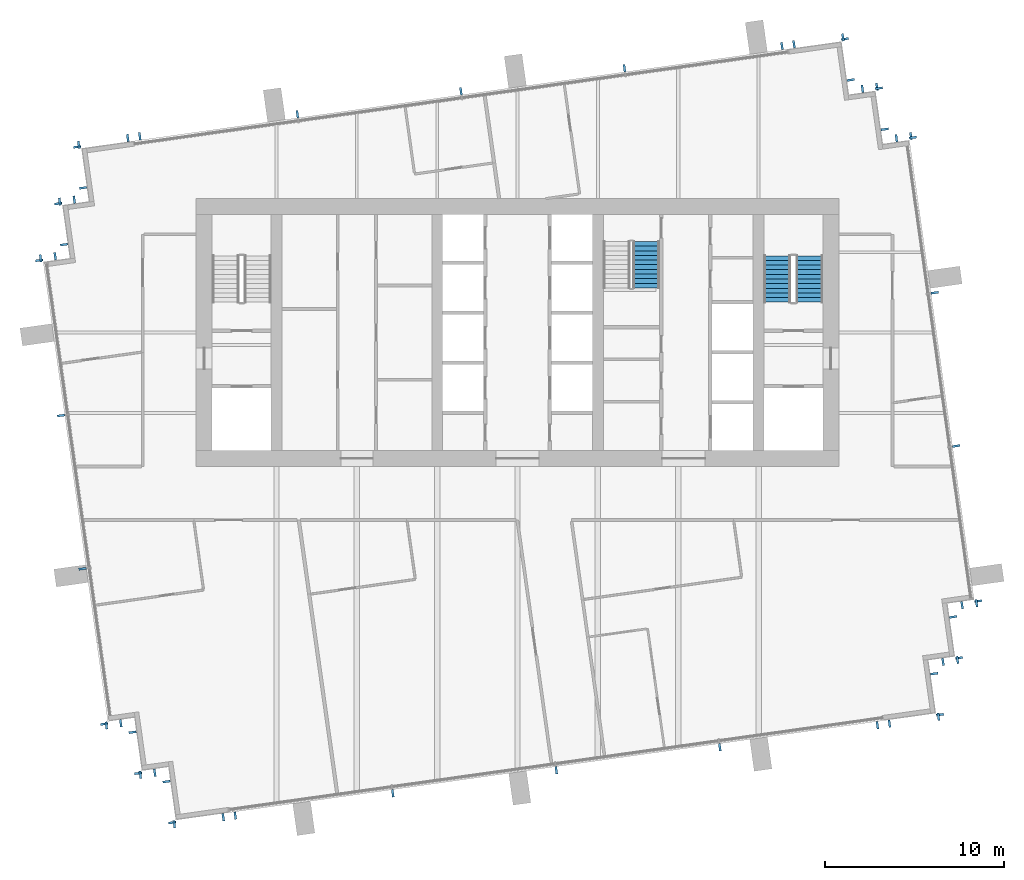
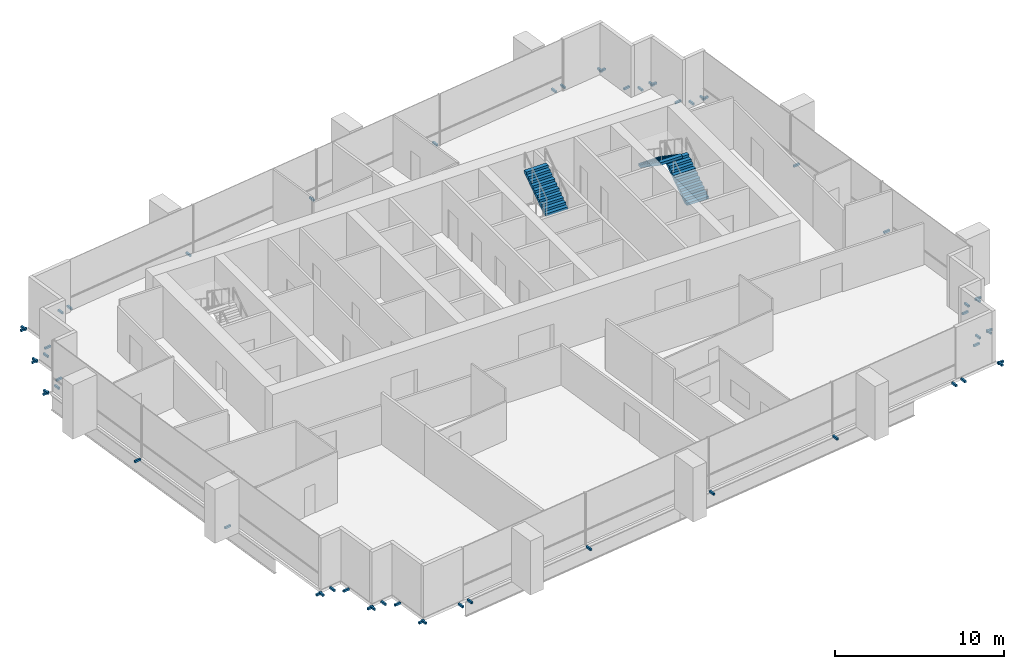
# One storey, part 11 of 12: 58 discrete accessories, 3 stair flights, 2 elements without a shape of their own.
"""IFC4 building model written with IfcOpenShell, lengths in metres."""

from ifc_helpers import new_model, si_unit, direction, frame, origin, origin_2d, place, context, subcontext, project, spatial, polyline, rectangle, outline, extrude, material, type_object, element, aggregate, save


model = new_model("IFC4")

# Units and contexts
model_context = context("Model", 3, precision=1e-05, world=origin(), true_north=direction((0.0, 1.0)))
body_context = subcontext(model_context, "Body", "Model", "MODEL_VIEW")
ifc_project = project(units=[si_unit("LENGTHUNIT", "METRE"), si_unit("AREAUNIT", "SQUARE_METRE"), si_unit("VOLUMEUNIT", "CUBIC_METRE"), si_unit("PLANEANGLEUNIT", "RADIAN"), si_unit("MASSUNIT", "GRAM", prefix="KILO")], contexts=[model_context])

# Site, building, storey
site_placement = place(None, origin())
site = spatial("IfcSite", under=ifc_project, at=site_placement, CompositionType="ELEMENT")
building_placement = place(site_placement, origin())
building = spatial("IfcBuilding", under=site, at=building_placement, Name="Rattan Terrace Tower", CompositionType="ELEMENT")
storey_placement = place(building_placement, frame((0.0, 0.0, 282.39990234375)))
storey = spatial("IfcBuildingStorey", under=building, at=storey_placement, Name="L65", CompositionType="ELEMENT", Elevation=282.39990234375)

# Stair, stair flights
ifc_material_1 = material(Name="Concrete C40/50", Category="concrete")
stair_type = type_object("IfcStairType", Name="Core exit stair 1500", PredefinedType="HALF_TURN_STAIR", material=ifc_material_1)
stair_1_placement = place(storey_placement, origin())
stair_1 = element("IfcStair", 1, at=stair_1_placement, inside=storey, type_object=stair_type, Name="L65 exit stair 2", PredefinedType="HALF_TURN_STAIR")
ifc_material_2 = material(Name="Concrete C40/50", Category="concrete")
stair_flight_type = type_object("IfcStairFlightType", Name="Core exit stair flight 1500", PredefinedType="STRAIGHT", material=ifc_material_2)
stair_flight_1_placement = place(storey_placement, frame((16.35009765625, 1.699951171875, 0.0), z_axis=(0.0, 0.0, 1.0), x_axis=(0.0, 1.0, 0.0)))
stair_flight_1 = element("IfcStairFlight", 2, at=stair_flight_1_placement, type_object=stair_flight_type, Name="S2 flight 1", NumberOfRisers=11, NumberOfTreads=10, PredefinedType="STRAIGHT", RiserHeight=0.177272727, TreadLength=0.26, context=body_context, shape_type="SweptSolid", body=[
    extrude(outline(polyline([(0.0, 0.0), (0.0, 0.17724609375), (0.260009765625, 0.17724609375), (0.260009765625, 0.3544921875), (0.52001953125, 0.3544921875), (0.52001953125, 0.53173828125), (0.780029296875, 0.53173828125), (0.780029296875, 0.708984375), (1.0400390625, 0.708984375), (1.0400390625, 0.886474609375), (1.300048828125, 0.886474609375), (1.300048828125, 1.063720703125), (1.56005859375, 1.063720703125), (1.56005859375, 1.240966796875), (1.820068359375, 1.240966796875), (1.820068359375, 1.418212890625), (2.080078125, 1.418212890625), (2.080078125, 1.595458984375), (2.340087890625, 1.595458984375), (2.340087890625, 1.772705078125), (2.60009765625, 1.772705078125), (2.60009765625, 1.949951171875), (2.60009765625, 1.59130859375), (0.26611328125, 0.0), (0.0, 0.0)])), frame((0.0, 0.75, 0.0), z_axis=(0.0, -1.0, 0.0), x_axis=(1.0, 0.0, 0.0)), (0.0, 0.0, 1.0), 1.5),
])
stair_flight_2_placement = place(storey_placement, frame((14.550048828125, 4.300048828125, 1.9501953125), z_axis=(0.0, 0.0, 1.0), x_axis=(0.0, -1.0, 0.0)))
stair_flight_2 = element("IfcStairFlight", 3, at=stair_flight_2_placement, type_object=stair_flight_type, Name="S2 flight 2", NumberOfRisers=11, NumberOfTreads=10, PredefinedType="STRAIGHT", RiserHeight=0.177272727, TreadLength=0.26, context=body_context, shape_type="SweptSolid", body=[
    extrude(outline(polyline([(0.0, 0.0), (0.0, 0.17724609375), (0.260009765625, 0.17724609375), (0.260009765625, 0.3544921875), (0.52001953125, 0.3544921875), (0.52001953125, 0.53173828125), (0.780029296875, 0.53173828125), (0.780029296875, 0.708984375), (1.0400390625, 0.708984375), (1.0400390625, 0.886474609375), (1.300048828125, 0.886474609375), (1.300048828125, 1.063720703125), (1.56005859375, 1.063720703125), (1.56005859375, 1.240966796875), (1.820068359375, 1.240966796875), (1.820068359375, 1.418212890625), (2.080078125, 1.418212890625), (2.080078125, 1.595458984375), (2.340087890625, 1.595458984375), (2.340087890625, 1.772705078125), (2.60009765625, 1.772705078125), (2.60009765625, 1.949951171875), (2.60009765625, 1.59130859375), (0.26611328125, 0.0), (0.0, 0.0)])), frame((0.0, 0.75, 0.0), z_axis=(0.0, -1.0, 0.0), x_axis=(1.0, 0.0, 0.0)), (0.0, 0.0, 1.0), 1.5),
])
aggregate(stair_1, [stair_flight_1, stair_flight_2])

# Stair, stair flight
stair_2_placement = place(storey_placement, origin())
stair_2 = element("IfcStair", 4, at=stair_2_placement, inside=storey, type_object=stair_type, Name="L65 exit stair 3", PredefinedType="HALF_TURN_STAIR")
stair_flight_3_placement = place(storey_placement, frame((7.199951171875, 2.5, 1.9501953125), z_axis=(0.0, 0.0, 1.0), x_axis=(0.0, 1.0, 0.0)))
stair_flight_3 = element("IfcStairFlight", 5, at=stair_flight_3_placement, type_object=stair_flight_type, Name="S3 flight 2", NumberOfRisers=11, NumberOfTreads=10, PredefinedType="STRAIGHT", RiserHeight=0.177272727, TreadLength=0.26, context=body_context, shape_type="SweptSolid", body=[
    extrude(outline(polyline([(0.0, 0.0), (0.0, 0.17724609375), (0.260009765625, 0.17724609375), (0.260009765625, 0.3544921875), (0.52001953125, 0.3544921875), (0.52001953125, 0.53173828125), (0.780029296875, 0.53173828125), (0.780029296875, 0.708984375), (1.0400390625, 0.708984375), (1.0400390625, 0.886474609375), (1.300048828125, 0.886474609375), (1.300048828125, 1.063720703125), (1.56005859375, 1.063720703125), (1.56005859375, 1.240966796875), (1.820068359375, 1.240966796875), (1.820068359375, 1.418212890625), (2.080078125, 1.418212890625), (2.080078125, 1.595458984375), (2.340087890625, 1.595458984375), (2.340087890625, 1.772705078125), (2.60009765625, 1.772705078125), (2.60009765625, 1.949951171875), (2.60009765625, 1.59130859375), (0.26611328125, 0.0), (0.0, 0.0)])), frame((0.0, 0.75, 0.0), z_axis=(0.0, -1.0, 0.0), x_axis=(1.0, 0.0, 0.0)), (0.0, 0.0, 1.0), 1.5),
])
aggregate(stair_2, [stair_flight_3])

# Discrete accessories
for number, where, z_axis, x_axis, name in (
    (6, (20.829833984375, -21.900634765625, -0.169921875), (0.0, 0.0, 1.0), (0.990293172258, 0.138994363123, 0.0), "Panel bracket L65-1"),
    (7, (23.5732421875, -21.515625, -0.169921875), (0.0, 0.0, 1.0), (0.990293172258, 0.138994363123, 0.0), "Panel bracket L65-2"),
    (8, (23.658203125, -21.40283203125, -0.169921875), (0.0, 0.0, 1.0), (-0.138994363123, 0.990293172258, 0.0), "Panel bracket L65-3"),
    (9, (23.335693359375, -19.10498046875, -0.169921875), (0.0, 0.0, 1.0), (-0.138994363123, 0.990293172258, 0.0), "Panel bracket L65-4"),
    (10, (23.829345703125, -18.449951171875, -0.169921875), (0.0, 0.0, 1.0), (0.990240767803, 0.139367219175, 0.0), "Panel bracket L65-5"),
    (11, (24.64111328125, -18.335693359375, -0.169921875), (0.0, 0.0, 1.0), (0.990240767803, 0.139367219175, 0.0), "Panel bracket L65-6"),
    (12, (24.726318359375, -18.22265625, -0.169921875), (0.0, 0.0, 1.0), (-0.139367219175, 0.990240767803, 0.0), "Panel bracket L65-7"),
    (13, (24.403076171875, -15.926025390625, -0.169921875), (0.0, 0.0, 1.0), (-0.139367219175, 0.990240767803, 0.0), "Panel bracket L65-8"),
    (14, (24.896484375, -15.27099609375, -0.169921875), (0.0, 0.0, 1.0), (0.99025370695, 0.139275252184, 0.0), "Panel bracket L65-9"),
    (15, (25.708984375, -15.15673828125, -0.169921875), (0.0, 0.0, 1.0), (0.99025370695, 0.139275252184, 0.0), "Panel bracket L65-10"),
    (16, (25.794189453125, -15.043701171875, -0.169921875), (0.0, 0.0, 1.0), (-0.139191775431, 0.990265444036, 0.0), "Panel bracket L65-11"),
    (17, (24.572509765625, -6.35205078125, -0.169921875), (0.0, 0.0, 1.0), (-0.139191775431, 0.990265444036, 0.0), "Panel bracket L65-12"),
    (18, (23.3662109375, 2.23046875, -0.169921875), (0.0, 0.0, 1.0), (-0.139191775431, 0.990265444036, 0.0), "Panel bracket L65-13"),
    (19, (22.14453125, 10.921142578125, -0.169921875), (0.0, 0.0, 1.0), (-0.139191775431, 0.990265444036, 0.0), "Panel bracket L65-14"),
    (20, (22.03173828125, 11.00634765625, -0.169921875), (0.0, 0.0, 1.0), (-0.990240767803, -0.139367219175, 0.0), "Panel bracket L65-15"),
    (21, (21.219970703125, 10.89208984375, -0.169921875), (0.0, 0.0, 1.0), (-0.990240767803, -0.139367219175, 0.0), "Panel bracket L65-16"),
    (22, (20.56494140625, 11.385498046875, -0.169921875), (0.0, 0.0, 1.0), (-0.139321220646, 0.990247240581, 0.0), "Panel bracket L65-17"),
    (23, (20.24169921875, 13.682861328125, -0.169921875), (0.0, 0.0, 1.0), (-0.139321220646, 0.990247240581, 0.0), "Panel bracket L65-18"),
    (24, (20.12841796875, 13.768310546875, -0.169921875), (0.0, 0.0, 1.0), (-0.990332587523, -0.138713251317, 0.0), "Panel bracket L65-19"),
    (25, (19.31689453125, 13.654541015625, -0.169921875), (0.0, 0.0, 1.0), (-0.990332587523, -0.138713251317, 0.0), "Panel bracket L65-20"),
    (26, (18.661865234375, 14.148193359375, -0.169921875), (0.0, 0.0, 1.0), (-0.139367219175, 0.990240767803, 0.0), "Panel bracket L65-21"),
    (27, (18.338623046875, 16.445068359375, -0.169921875), (0.0, 0.0, 1.0), (-0.139367219175, 0.990240767803, 0.0), "Panel bracket L65-22"),
    (28, (18.2255859375, 16.5302734375, -0.169921875), (0.0, 0.0, 1.0), (-0.990286729519, -0.139040257974, 0.0), "Panel bracket L65-23"),
    (29, (15.4833984375, 16.145263671875, -0.169921875), (0.0, 0.0, 1.0), (-0.990286729519, -0.139040257974, 0.0), "Panel bracket L65-24"),
    (30, (14.81005859375, 16.050537109375, -0.169921875), (0.0, 0.0, 1.0), (-0.990265894013, -0.139188574079, 0.0), "Panel bracket L65-25"),
    (31, (5.98779296875, 14.810546875, -0.169921875), (0.0, 0.0, 1.0), (-0.990265894013, -0.139188574079, 0.0), "Panel bracket L65-26"),
    (32, (-3.171142578125, 13.523193359375, -0.169921875), (0.0, 0.0, 1.0), (-0.990265894013, -0.139188574079, 0.0), "Panel bracket L65-27"),
    (33, (-12.330078125, 12.23583984375, -0.169921875), (0.0, 0.0, 1.0), (-0.990265894013, -0.139188574079, 0.0), "Panel bracket L65-28"),
    (34, (-21.156494140625, 10.995361328125, -0.169921875), (0.0, 0.0, 1.0), (-0.990265894013, -0.139188574079, 0.0), "Panel bracket L65-29"),
    (35, (-21.829833984375, 10.900634765625, -0.169921875), (0.0, 0.0, 1.0), (-0.990293172258, -0.138994363123, 0.0), "Panel bracket L65-30"),
    (36, (-24.5732421875, 10.515625, -0.169921875), (0.0, 0.0, 1.0), (-0.990293172258, -0.138994363123, 0.0), "Panel bracket L65-31"),
    (37, (-24.658203125, 10.40283203125, -0.169921875), (0.0, 0.0, 1.0), (0.138994363123, -0.990293172258, 0.0), "Panel bracket L65-32"),
    (38, (-24.335693359375, 8.10498046875, -0.169921875), (0.0, 0.0, 1.0), (0.138994363123, -0.990293172258, 0.0), "Panel bracket L65-33"),
    (39, (-24.829345703125, 7.449951171875, -0.169921875), (0.0, 0.0, 1.0), (-0.990240767803, -0.139367219175, 0.0), "Panel bracket L65-34"),
    (40, (-25.64111328125, 7.335693359375, -0.169921875), (0.0, 0.0, 1.0), (-0.990240767803, -0.139367219175, 0.0), "Panel bracket L65-35"),
    (41, (-25.726318359375, 7.22265625, -0.169921875), (0.0, 0.0, 1.0), (0.139367219175, -0.990240767803, 0.0), "Panel bracket L65-36"),
    (42, (-25.403076171875, 4.926025390625, -0.169921875), (0.0, 0.0, 1.0), (0.139367219175, -0.990240767803, 0.0), "Panel bracket L65-37"),
    (43, (-25.896484375, 4.27099609375, -0.169921875), (0.0, 0.0, 1.0), (-0.99025370695, -0.139275252184, 0.0), "Panel bracket L65-38"),
    (44, (-26.708984375, 4.15673828125, -0.169921875), (0.0, 0.0, 1.0), (-0.99025370695, -0.139275252184, 0.0), "Panel bracket L65-39"),
    (45, (-26.794189453125, 4.043701171875, -0.169921875), (0.0, 0.0, 1.0), (0.139191775431, -0.990265444036, 0.0), "Panel bracket L65-40"),
    (46, (-25.572509765625, -4.64794921875, -0.169921875), (0.0, 0.0, 1.0), (0.139191775431, -0.990265444036, 0.0), "Panel bracket L65-41"),
    (47, (-24.3662109375, -13.23046875, -0.169921875), (0.0, 0.0, 1.0), (0.139191775431, -0.990265444036, 0.0), "Panel bracket L65-42"),
    (48, (-23.14453125, -21.921142578125, -0.169921875), (0.0, 0.0, 1.0), (0.139191775431, -0.990265444036, 0.0), "Panel bracket L65-43"),
    (49, (-23.03173828125, -22.00634765625, -0.169921875), (0.0, 0.0, 1.0), (0.990240767803, 0.139367219175, 0.0), "Panel bracket L65-44"),
    (50, (-22.219970703125, -21.89208984375, -0.169921875), (0.0, 0.0, 1.0), (0.990240767803, 0.139367219175, 0.0), "Panel bracket L65-45"),
    (51, (-21.56494140625, -22.385498046875, -0.169921875), (0.0, 0.0, 1.0), (0.139321220646, -0.990247240581, 0.0), "Panel bracket L65-46"),
    (52, (-21.24169921875, -24.682861328125, -0.169921875), (0.0, 0.0, 1.0), (0.139321220646, -0.990247240581, 0.0), "Panel bracket L65-47"),
    (53, (-21.12841796875, -24.768310546875, -0.169921875), (0.0, 0.0, 1.0), (0.990332587523, 0.138713251317, 0.0), "Panel bracket L65-48"),
    (54, (-20.31689453125, -24.654541015625, -0.169921875), (0.0, 0.0, 1.0), (0.990332587523, 0.138713251317, 0.0), "Panel bracket L65-49"),
    (55, (-19.661865234375, -25.148193359375, -0.169921875), (0.0, 0.0, 1.0), (0.139367219175, -0.990240767803, 0.0), "Panel bracket L65-50"),
    (56, (-19.338623046875, -27.445068359375, -0.169921875), (0.0, 0.0, 1.0), (0.139367219175, -0.990240767803, 0.0), "Panel bracket L65-51"),
    (57, (-19.2255859375, -27.5302734375, -0.169921875), (0.0, 0.0, 1.0), (0.990286729519, 0.139040257974, 0.0), "Panel bracket L65-52"),
    (58, (-16.4833984375, -27.145263671875, -0.169921875), (0.0, 0.0, 1.0), (0.990286729519, 0.139040257974, 0.0), "Panel bracket L65-53"),
    (59, (-15.81005859375, -27.050537109375, -0.169921875), (0.0, 0.0, 1.0), (0.990265894013, 0.139188574079, 0.0), "Panel bracket L65-54"),
    (60, (-6.98779296875, -25.810546875, -0.169921875), (0.0, 0.0, 1.0), (0.990265894013, 0.139188574079, 0.0), "Panel bracket L65-55"),
    (61, (2.171142578125, -24.523193359375, -0.169921875), (0.0, 0.0, 1.0), (0.990265894013, 0.139188574079, 0.0), "Panel bracket L65-56"),
    (62, (11.330078125, -23.23583984375, -0.169921875), (0.0, 0.0, 1.0), (0.990265894013, 0.139188574079, 0.0), "Panel bracket L65-57"),
    (63, (20.156494140625, -21.995361328125, -0.169921875), (0.0, 0.0, 1.0), (0.990265894013, 0.139188574079, 0.0), "Panel bracket L65-58"),
):
    element("IfcDiscreteAccessory", number, at=place(storey_placement, frame(where, z_axis=z_axis, x_axis=x_axis)), inside=storey, Name=name, PredefinedType="BRACKET", context=body_context, shape_type="SweptSolid", body=[
        extrude(rectangle(XDim=0.1201171875, YDim=0.419921875, at=origin_2d()), origin(), (0.0, 0.0, 1.0), 0.139892578125),
    ])

save(model, "model.ifc")
